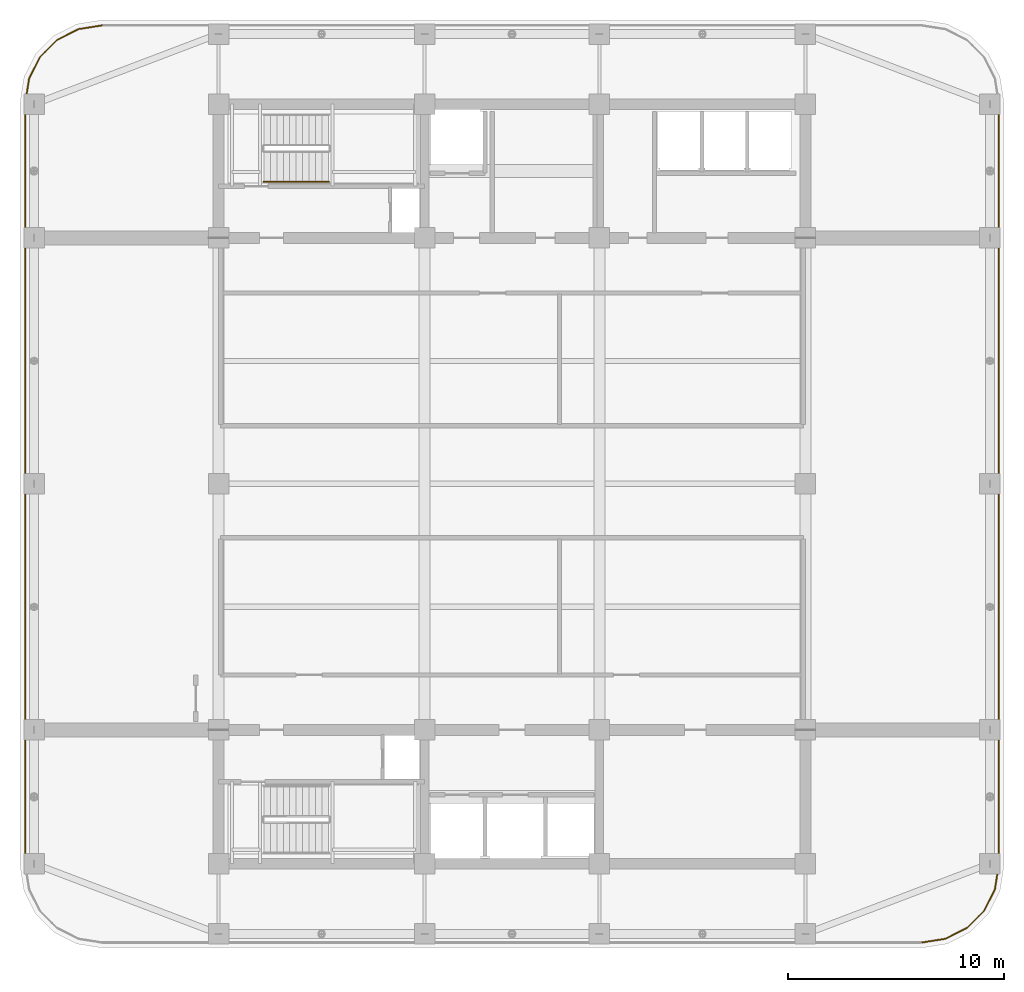
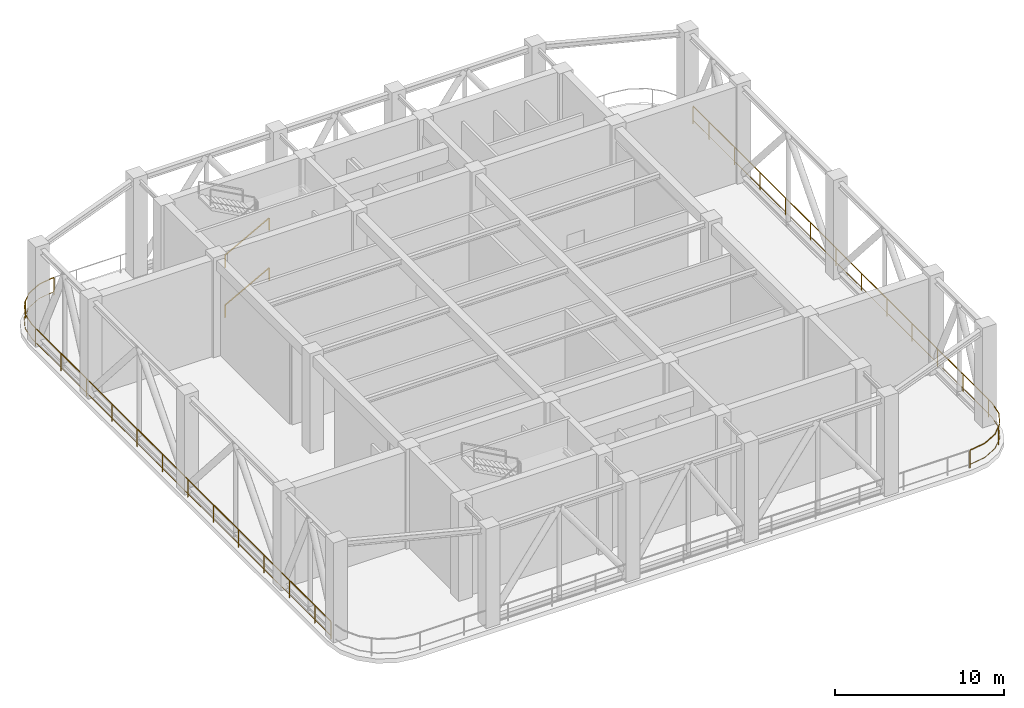
# One storey, part 19 of 20: 4 railings.
"""IFC4 building model written with IfcOpenShell, lengths in metres."""

from ifc_helpers import new_model, si_unit, direction, frame, origin, origin_2d, place, context, subcontext, project, spatial, rectangle, extrude, material, type_object, element, save


model = new_model("IFC4")

# Units and contexts
model_context = context("Model", 3, precision=1e-05, world=origin(), true_north=direction((0.0, 1.0)))
body_context = subcontext(model_context, "Body", "Model", "MODEL_VIEW")
ifc_project = project(units=[si_unit("LENGTHUNIT", "METRE"), si_unit("AREAUNIT", "SQUARE_METRE"), si_unit("VOLUMEUNIT", "CUBIC_METRE"), si_unit("PLANEANGLEUNIT", "RADIAN"), si_unit("MASSUNIT", "GRAM", prefix="KILO")], contexts=[model_context])

# Site, building, storey
site_placement = place(None, origin())
site = spatial("IfcSite", under=ifc_project, at=site_placement, CompositionType="ELEMENT")
building_placement = place(site_placement, origin())
building = spatial("IfcBuilding", under=site, at=building_placement, Name="Svetorya Sky Lyceum", CompositionType="ELEMENT")
storey_placement = place(building_placement, frame((0.0, 0.0, 195.89990234375)))
storey = spatial("IfcBuildingStorey", under=building, at=storey_placement, Name="L49", CompositionType="ELEMENT", Elevation=195.89990234375)

# Railings
ifc_material_1 = material(Name="Hot-dip galvanized wind-portal guard")
railing_type_1 = type_object("IfcRailingType", Name="RL-PRT-1300", PredefinedType="GUARDRAIL", material=ifc_material_1)
railing_1_placement = place(storey_placement, frame((58.199951171875, 6.949951171875, 0.0)))
element("IfcRailing", 1, at=railing_1_placement, inside=storey, type_object=railing_type_1, Name="L49 Wind-Portal Deck Guard Quadrant 2", PredefinedType="GUARDRAIL", context=body_context, shape_type="SweptSolid", body=[
    extrude(rectangle(XDim=0.048095703125, YDim=0.048095703125, at=origin_2d()), frame((0.0, 0.0, 1.27587890625), z_axis=(0.987680857769, 0.156481702433, 0.0), x_axis=(-0.156481702433, 0.987680857769, 0.0)), (0.0, 0.0, 1.0), 1.11083984375),
    extrude(rectangle(XDim=0.02392578125, YDim=0.02392578125, at=origin_2d()), frame((0.0, 0.0, 0.25), z_axis=(0.987680857769, 0.156481702433, 0.0), x_axis=(-0.156481702433, 0.987680857769, 0.0)), (0.0, 0.0, 1.0), 1.11083984375),
    extrude(rectangle(XDim=0.048095703125, YDim=0.048095703125, at=origin_2d()), frame((1.09716796875, 0.173828125, 1.27587890625), z_axis=(0.891016007838, 0.453971886549, 0.0), x_axis=(-0.453971886549, 0.891016007838, 0.0)), (0.0, 0.0, 1.0), 1.110595703125),
    extrude(rectangle(XDim=0.02392578125, YDim=0.02392578125, at=origin_2d()), frame((1.09716796875, 0.173828125, 0.25), z_axis=(0.891016007838, 0.453971886549, 0.0), x_axis=(-0.453971886549, 0.891016007838, 0.0)), (0.0, 0.0, 1.0), 1.110595703125),
    extrude(rectangle(XDim=0.048095703125, YDim=0.048095703125, at=origin_2d()), frame((2.086669921875, 0.677978515625, 1.27587890625), z_axis=(0.707106781187, 0.707106781187, 0.0), x_axis=(-0.707106781187, 0.707106781187, 0.0)), (0.0, 0.0, 1.0), 1.11083984375),
    extrude(rectangle(XDim=0.02392578125, YDim=0.02392578125, at=origin_2d()), frame((2.086669921875, 0.677978515625, 0.25), z_axis=(0.707106781187, 0.707106781187, 0.0), x_axis=(-0.707106781187, 0.707106781187, 0.0)), (0.0, 0.0, 1.0), 1.11083984375),
    extrude(rectangle(XDim=0.048095703125, YDim=0.048095703125, at=origin_2d()), frame((2.8720703125, 1.46337890625, 1.27587890625), z_axis=(0.454057468202, 0.890972398882, 0.0), x_axis=(-0.890972398882, 0.454057468202, 0.0)), (0.0, 0.0, 1.0), 1.11083984375),
    extrude(rectangle(XDim=0.02392578125, YDim=0.02392578125, at=origin_2d()), frame((2.8720703125, 1.46337890625, 0.25), z_axis=(0.454057468202, 0.890972398882, 0.0), x_axis=(-0.890972398882, 0.454057468202, 0.0)), (0.0, 0.0, 1.0), 1.11083984375),
    extrude(rectangle(XDim=0.048095703125, YDim=0.048095703125, at=origin_2d()), frame((3.37646484375, 2.453125, 1.27587890625), z_axis=(0.156301225874, 0.987709434394, 0.0), x_axis=(-0.987709434394, 0.156301225874, 0.0)), (0.0, 0.0, 1.0), 1.110595703125),
    extrude(rectangle(XDim=0.02392578125, YDim=0.02392578125, at=origin_2d()), frame((3.37646484375, 2.453125, 0.25), z_axis=(0.156301225874, 0.987709434394, 0.0), x_axis=(-0.987709434394, 0.156301225874, 0.0)), (0.0, 0.0, 1.0), 1.110595703125),
    extrude(rectangle(XDim=0.048095703125, YDim=0.048095703125, at=origin_2d()), frame((3.550048828125, 3.550048828125, 1.27587890625), z_axis=(0.0, 1.0, 0.0), x_axis=(-1.0, 0.0, 0.0)), (0.0, 0.0, 1.0), 35.340087890625),
    extrude(rectangle(XDim=0.02392578125, YDim=0.02392578125, at=origin_2d()), frame((3.550048828125, 3.550048828125, 0.25), z_axis=(0.0, 1.0, 0.0), x_axis=(-1.0, 0.0, 0.0)), (0.0, 0.0, 1.0), 35.340087890625),
    extrude(rectangle(XDim=0.0419921875, YDim=0.0419921875, at=origin_2d()), origin(), (0.0, 0.0, 1.0), 1.251953125),
    extrude(rectangle(XDim=0.0419921875, YDim=0.0419921875, at=origin_2d()), frame((2.63720703125, 1.228515625, 0.0)), (0.0, 0.0, 1.0), 1.251953125),
    extrude(rectangle(XDim=0.0419921875, YDim=0.0419921875, at=origin_2d()), frame((3.550048828125, 3.99658203125, 0.0)), (0.0, 0.0, 1.0), 1.251953125),
    extrude(rectangle(XDim=0.0419921875, YDim=0.0419921875, at=origin_2d()), frame((3.550048828125, 6.99658203125, 0.0)), (0.0, 0.0, 1.0), 1.251953125),
    extrude(rectangle(XDim=0.0419921875, YDim=0.0419921875, at=origin_2d()), frame((3.550048828125, 9.99658203125, 0.0)), (0.0, 0.0, 1.0), 1.251953125),
    extrude(rectangle(XDim=0.0419921875, YDim=0.0419921875, at=origin_2d()), frame((3.550048828125, 12.99658203125, 0.0)), (0.0, 0.0, 1.0), 1.251953125),
    extrude(rectangle(XDim=0.0419921875, YDim=0.0419921875, at=origin_2d()), frame((3.550048828125, 15.99658203125, 0.0)), (0.0, 0.0, 1.0), 1.251953125),
    extrude(rectangle(XDim=0.0419921875, YDim=0.0419921875, at=origin_2d()), frame((3.550048828125, 18.99658203125, 0.0)), (0.0, 0.0, 1.0), 1.251953125),
    extrude(rectangle(XDim=0.0419921875, YDim=0.0419921875, at=origin_2d()), frame((3.550048828125, 21.99658203125, 0.0)), (0.0, 0.0, 1.0), 1.251953125),
    extrude(rectangle(XDim=0.0419921875, YDim=0.0419921875, at=origin_2d()), frame((3.550048828125, 24.99658203125, 0.0)), (0.0, 0.0, 1.0), 1.251953125),
    extrude(rectangle(XDim=0.0419921875, YDim=0.0419921875, at=origin_2d()), frame((3.550048828125, 27.99658203125, 0.0)), (0.0, 0.0, 1.0), 1.251953125),
    extrude(rectangle(XDim=0.0419921875, YDim=0.0419921875, at=origin_2d()), frame((3.550048828125, 30.99658203125, 0.0)), (0.0, 0.0, 1.0), 1.251953125),
    extrude(rectangle(XDim=0.0419921875, YDim=0.0419921875, at=origin_2d()), frame((3.550048828125, 33.99658203125, 0.0)), (0.0, 0.0, 1.0), 1.251953125),
    extrude(rectangle(XDim=0.0419921875, YDim=0.0419921875, at=origin_2d()), frame((3.550048828125, 36.99658203125, 0.0)), (0.0, 0.0, 1.0), 1.251953125),
    extrude(rectangle(XDim=0.0419921875, YDim=0.0419921875, at=origin_2d()), frame((3.550048828125, 38.89013671875, 0.0)), (0.0, 0.0, 1.0), 1.251953125),
])
railing_2_placement = place(storey_placement, frame((20.199951171875, 49.449951171875, 0.0)))
element("IfcRailing", 2, at=railing_2_placement, inside=storey, type_object=railing_type_1, Name="L49 Wind-Portal Deck Guard Quadrant 4", PredefinedType="GUARDRAIL", context=body_context, shape_type="SweptSolid", body=[
    extrude(rectangle(XDim=0.048095703125, YDim=0.048095703125, at=origin_2d()), frame((0.0, 0.0, 1.27587890625), z_axis=(-0.987709434394, -0.156301225874, 0.0), x_axis=(0.156301225874, -0.987709434394, 0.0)), (0.0, 0.0, 1.0), 1.110595703125),
    extrude(rectangle(XDim=0.02392578125, YDim=0.02392578125, at=origin_2d()), frame((0.0, 0.0, 0.25), z_axis=(-0.987709434394, -0.156301225874, 0.0), x_axis=(0.156301225874, -0.987709434394, 0.0)), (0.0, 0.0, 1.0), 1.110595703125),
    extrude(rectangle(XDim=0.048095703125, YDim=0.048095703125, at=origin_2d()), frame((-1.096923828125, -0.173583984375, 1.27587890625), z_axis=(-0.890972398882, -0.454057468202, 0.0), x_axis=(0.454057468202, -0.890972398882, 0.0)), (0.0, 0.0, 1.0), 1.11083984375),
    extrude(rectangle(XDim=0.02392578125, YDim=0.02392578125, at=origin_2d()), frame((-1.096923828125, -0.173583984375, 0.25), z_axis=(-0.890972398882, -0.454057468202, 0.0), x_axis=(0.454057468202, -0.890972398882, 0.0)), (0.0, 0.0, 1.0), 1.11083984375),
    extrude(rectangle(XDim=0.048095703125, YDim=0.048095703125, at=origin_2d()), frame((-2.086669921875, -0.677978515625, 1.27587890625), z_axis=(-0.707106781187, -0.707106781187, 0.0), x_axis=(0.707106781187, -0.707106781187, 0.0)), (0.0, 0.0, 1.0), 1.11083984375),
    extrude(rectangle(XDim=0.02392578125, YDim=0.02392578125, at=origin_2d()), frame((-2.086669921875, -0.677978515625, 0.25), z_axis=(-0.707106781187, -0.707106781187, 0.0), x_axis=(0.707106781187, -0.707106781187, 0.0)), (0.0, 0.0, 1.0), 1.11083984375),
    extrude(rectangle(XDim=0.048095703125, YDim=0.048095703125, at=origin_2d()), frame((-2.8720703125, -1.46337890625, 1.27587890625), z_axis=(-0.453971886549, -0.891016007838, 0.0), x_axis=(0.891016007838, -0.453971886549, 0.0)), (0.0, 0.0, 1.0), 1.110595703125),
    extrude(rectangle(XDim=0.02392578125, YDim=0.02392578125, at=origin_2d()), frame((-2.8720703125, -1.46337890625, 0.25), z_axis=(-0.453971886549, -0.891016007838, 0.0), x_axis=(0.891016007838, -0.453971886549, 0.0)), (0.0, 0.0, 1.0), 1.110595703125),
    extrude(rectangle(XDim=0.048095703125, YDim=0.048095703125, at=origin_2d()), frame((-3.376220703125, -2.452880859375, 1.27587890625), z_axis=(-0.156481702433, -0.987680857769, 0.0), x_axis=(0.987680857769, -0.156481702433, 0.0)), (0.0, 0.0, 1.0), 1.11083984375),
    extrude(rectangle(XDim=0.02392578125, YDim=0.02392578125, at=origin_2d()), frame((-3.376220703125, -2.452880859375, 0.25), z_axis=(-0.156481702433, -0.987680857769, 0.0), x_axis=(0.987680857769, -0.156481702433, 0.0)), (0.0, 0.0, 1.0), 1.11083984375),
    extrude(rectangle(XDim=0.048095703125, YDim=0.048095703125, at=origin_2d()), frame((-3.550048828125, -3.550048828125, 1.27587890625), z_axis=(0.0, -1.0, 0.0), x_axis=(1.0, 0.0, 0.0)), (0.0, 0.0, 1.0), 35.33984375),
    extrude(rectangle(XDim=0.02392578125, YDim=0.02392578125, at=origin_2d()), frame((-3.550048828125, -3.550048828125, 0.25), z_axis=(0.0, -1.0, 0.0), x_axis=(1.0, 0.0, 0.0)), (0.0, 0.0, 1.0), 35.33984375),
    extrude(rectangle(XDim=0.0419921875, YDim=0.0419921875, at=origin_2d()), origin(), (0.0, 0.0, 1.0), 1.251953125),
    extrude(rectangle(XDim=0.0419921875, YDim=0.0419921875, at=origin_2d()), frame((-2.63720703125, -1.228515625, 0.0)), (0.0, 0.0, 1.0), 1.251953125),
    extrude(rectangle(XDim=0.0419921875, YDim=0.0419921875, at=origin_2d()), frame((-3.550048828125, -3.99658203125, 0.0)), (0.0, 0.0, 1.0), 1.251953125),
    extrude(rectangle(XDim=0.0419921875, YDim=0.0419921875, at=origin_2d()), frame((-3.550048828125, -6.99658203125, 0.0)), (0.0, 0.0, 1.0), 1.251953125),
    extrude(rectangle(XDim=0.0419921875, YDim=0.0419921875, at=origin_2d()), frame((-3.550048828125, -9.99658203125, 0.0)), (0.0, 0.0, 1.0), 1.251953125),
    extrude(rectangle(XDim=0.0419921875, YDim=0.0419921875, at=origin_2d()), frame((-3.550048828125, -12.99658203125, 0.0)), (0.0, 0.0, 1.0), 1.251953125),
    extrude(rectangle(XDim=0.0419921875, YDim=0.0419921875, at=origin_2d()), frame((-3.550048828125, -15.99658203125, 0.0)), (0.0, 0.0, 1.0), 1.251953125),
    extrude(rectangle(XDim=0.0419921875, YDim=0.0419921875, at=origin_2d()), frame((-3.550048828125, -18.99658203125, 0.0)), (0.0, 0.0, 1.0), 1.251953125),
    extrude(rectangle(XDim=0.0419921875, YDim=0.0419921875, at=origin_2d()), frame((-3.550048828125, -21.99658203125, 0.0)), (0.0, 0.0, 1.0), 1.251953125),
    extrude(rectangle(XDim=0.0419921875, YDim=0.0419921875, at=origin_2d()), frame((-3.550048828125, -24.99658203125, 0.0)), (0.0, 0.0, 1.0), 1.251953125),
    extrude(rectangle(XDim=0.0419921875, YDim=0.0419921875, at=origin_2d()), frame((-3.550048828125, -27.99658203125, 0.0)), (0.0, 0.0, 1.0), 1.251953125),
    extrude(rectangle(XDim=0.0419921875, YDim=0.0419921875, at=origin_2d()), frame((-3.550048828125, -30.99658203125, 0.0)), (0.0, 0.0, 1.0), 1.251953125),
    extrude(rectangle(XDim=0.0419921875, YDim=0.0419921875, at=origin_2d()), frame((-3.550048828125, -33.99658203125, 0.0)), (0.0, 0.0, 1.0), 1.251953125),
    extrude(rectangle(XDim=0.0419921875, YDim=0.0419921875, at=origin_2d()), frame((-3.550048828125, -36.99658203125, 0.0)), (0.0, 0.0, 1.0), 1.251953125),
    extrude(rectangle(XDim=0.0419921875, YDim=0.0419921875, at=origin_2d()), frame((-3.550048828125, -38.889892578125, 0.0)), (0.0, 0.0, 1.0), 1.251953125),
])
ifc_material_2 = material(Name="Brushed stainless AISI 304 stair handrail")
railing_type_2 = type_object("IfcRailingType", Name="RL-STR-HAND-920", PredefinedType="HANDRAIL", material=ifc_material_2)
railing_3_placement = place(storey_placement, frame((27.699951171875, 42.199951171875, 0.163818359375)))
element("IfcRailing", 3, at=railing_3_placement, inside=storey, type_object=railing_type_2, Name="L49 ST-N stair handrail 1", PredefinedType="HANDRAIL", context=body_context, shape_type="SweptSolid", body=[
    extrude(rectangle(XDim=0.048095703125, YDim=0.048095703125, at=origin_2d()), frame((0.0, 0.0, 0.8759765625), z_axis=(0.877911954615, 0.0, 0.47882209634), x_axis=(0.0, 1.0, 0.0)), (0.0, 0.0, 1.0), 3.417236328125),
    extrude(rectangle(XDim=0.0419921875, YDim=0.0419921875, at=origin_2d()), origin(), (0.0, 0.0, 1.0), 0.851806640625),
    extrude(rectangle(XDim=0.0419921875, YDim=0.0419921875, at=origin_2d()), frame((3.0, 0.0, 1.63623046875)), (0.0, 0.0, 1.0), 0.851806640625),
])
railing_4_placement = place(storey_placement, frame((27.699951171875, 42.199951171875, 3.763671875)))
element("IfcRailing", 4, at=railing_4_placement, inside=storey, type_object=railing_type_2, Name="L49 ST-N stair handrail 3", PredefinedType="HANDRAIL", context=body_context, shape_type="SweptSolid", body=[
    extrude(rectangle(XDim=0.048095703125, YDim=0.048095703125, at=origin_2d()), frame((0.0, 0.0, 0.8759765625), z_axis=(0.877881921179, 0.0, 0.478877158013), x_axis=(0.0, 1.0, 0.0)), (0.0, 0.0, 1.0), 3.417236328125),
    extrude(rectangle(XDim=0.0419921875, YDim=0.0419921875, at=origin_2d()), origin(), (0.0, 0.0, 1.0), 0.851806640625),
    extrude(rectangle(XDim=0.0419921875, YDim=0.0419921875, at=origin_2d()), frame((3.0, 0.0, 1.636474609375)), (0.0, 0.0, 1.0), 0.851806640625),
])

save(model, "model.ifc")
